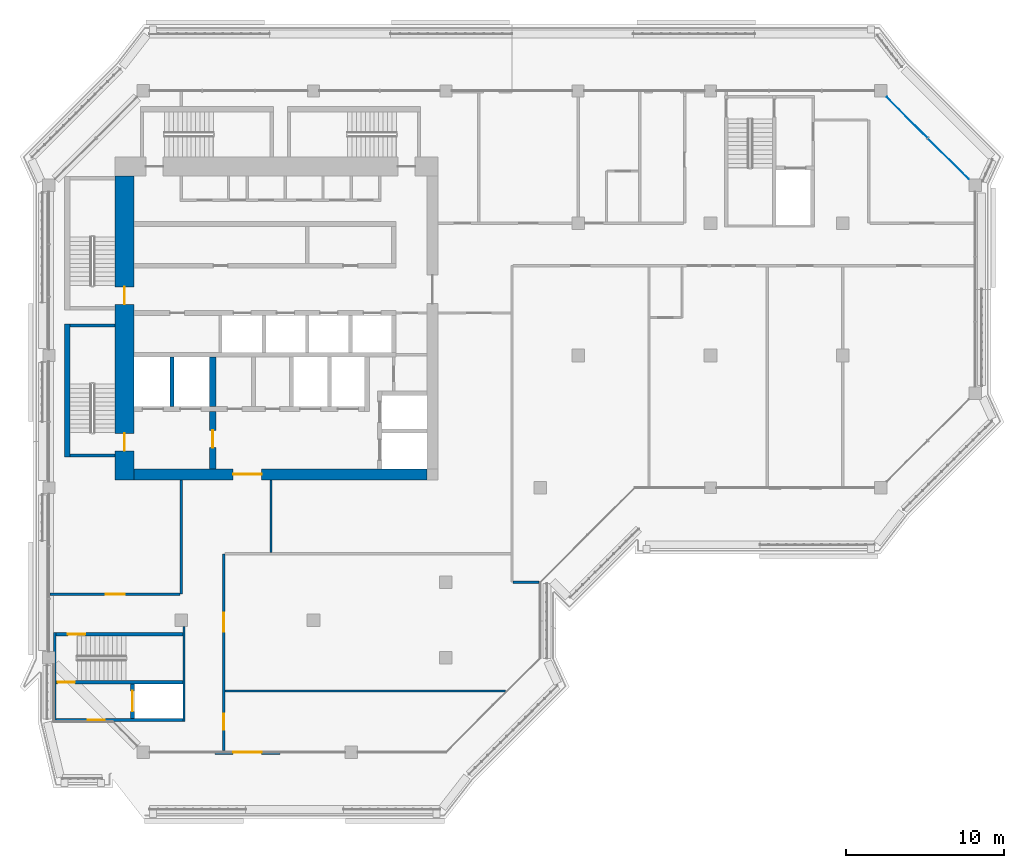
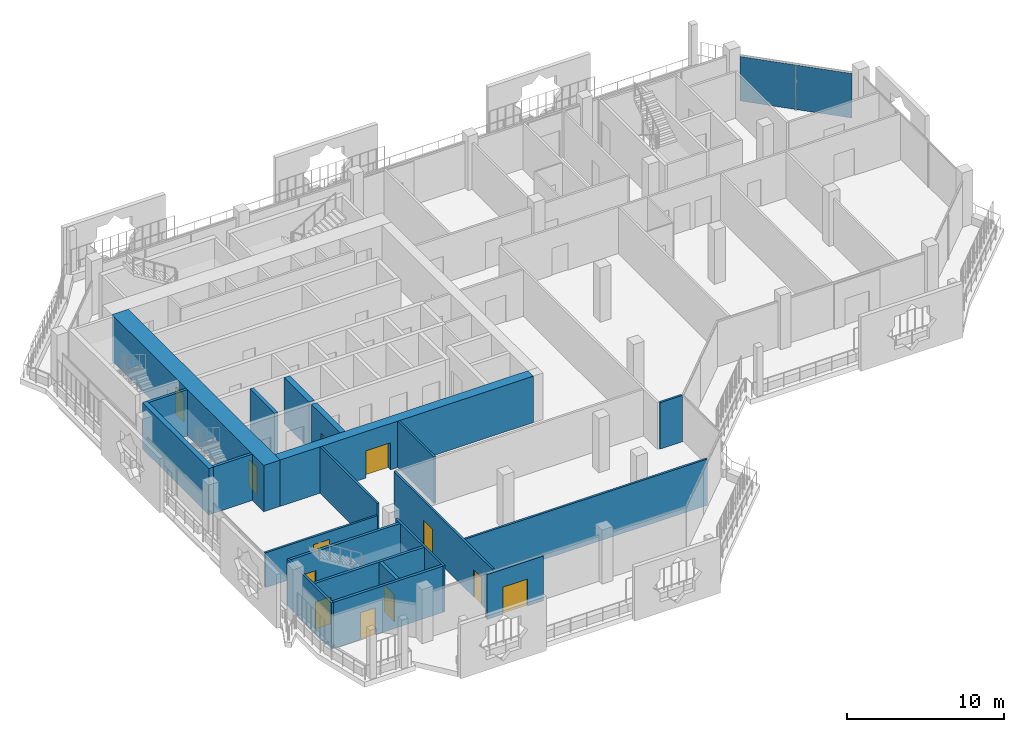
# One storey, part 10 of 21: 21 walls, 12 doors, 2 plates, 12 openings, 1 element without a shape of its own.
"""IFC4 building model written with IfcOpenShell, lengths in metres."""

from ifc_helpers import new_model, si_unit, direction, frame, frame_2d, origin, origin_2d, place, context, subcontext, project, spatial, rectangle, extrude, material, layer, layer_set, type_object, element, fill, aggregate, save


model = new_model("IFC4")

# Units and contexts
model_context = context("Model", 3, precision=1e-05, world=origin(), true_north=direction((0.0, 1.0)))
body_context = subcontext(model_context, "Body", "Model", "MODEL_VIEW")
ifc_project = project(units=[si_unit("LENGTHUNIT", "METRE"), si_unit("AREAUNIT", "SQUARE_METRE"), si_unit("VOLUMEUNIT", "CUBIC_METRE"), si_unit("PLANEANGLEUNIT", "RADIAN"), si_unit("MASSUNIT", "GRAM", prefix="KILO")], contexts=[model_context])

# Site, building, storey
site_placement = place(None, origin())
site = spatial("IfcSite", under=ifc_project, at=site_placement, CompositionType="ELEMENT")
building_placement = place(site_placement, origin())
building = spatial("IfcBuilding", under=site, at=building_placement, Name="Kawkab Arch Medical Tower", CompositionType="ELEMENT")
storey_placement = place(building_placement, frame((0.0, 0.0, 323.800048828125)))
storey = spatial("IfcBuildingStorey", under=building, at=storey_placement, Name="L75", CompositionType="ELEMENT", Elevation=323.800048828125)

# Curtain wall, plates
ifc_material_1 = material(Name="Bronze anodised aluminium curtain wall frame", Category="aluminium")
ifc_layer_1 = layer(ifc_material_1, 0.159912109375)
ifc_layer_set_1 = layer_set([ifc_layer_1], Name="Bronze anodised aluminium curtain wall frame")
curtain_wall_type = type_object("IfcCurtainWallType", Name="CW2 chamfer curtain wall", PredefinedType="NOTDEFINED", material=ifc_layer_set_1)
curtain_wall_placement = place(storey_placement, origin())
curtain_wall = element("IfcCurtainWall", 1, at=curtain_wall_placement, inside=storey, type_object=curtain_wall_type, Name="CW2 Chamfer curtain wall R14", PredefinedType="NOTDEFINED")
ifc_material_2 = material(Name="Tinted insulating glass, bronze low-e coating", Category="glass")
ifc_layer_2 = layer(ifc_material_2, 0.031982421875)
ifc_layer_set_2 = layer_set([ifc_layer_2], Name="Tinted insulating glass, bronze low-e coating")
plate_type = type_object("IfcPlateType", Name="CW2 glazing unit 32", PredefinedType="CURTAIN_PANEL", material=ifc_layer_set_2)
plate_1_placement = place(storey_placement, frame((57.110595703125, -4.310546875, 0.0), z_axis=(0.0, 0.0, 1.0), x_axis=(-0.707106781187, 0.707106781187, 0.0)))
plate_1 = element("IfcPlate", 2, at=plate_1_placement, type_object=plate_type, Name="CW2 glazing unit 1.1", PredefinedType="CURTAIN_PANEL", context=body_context, shape_type="SweptSolid", body=[
    extrude(rectangle(XDim=3.64697265625, YDim=0.031982421875, at=origin_2d()), origin(), (0.0, 0.0, 1.0), 3.4599609375),
])
plate_2_placement = place(storey_placement, frame((54.489501953125, -1.689453125, 0.0), z_axis=(0.0, 0.0, 1.0), x_axis=(-0.707106781187, 0.707106781187, 0.0)))
plate_2 = element("IfcPlate", 3, at=plate_2_placement, type_object=plate_type, Name="CW2 glazing unit 1.2", PredefinedType="CURTAIN_PANEL", context=body_context, shape_type="SweptSolid", body=[
    extrude(rectangle(XDim=3.64697265625, YDim=0.031982421875, at=origin_2d()), origin(), (0.0, 0.0, 1.0), 3.4599609375),
])
aggregate(curtain_wall, [plate_1, plate_2])

# Wall, openings, doors
ifc_material_3 = material(Name="Concrete C50/60", Category="concrete")
ifc_layer_3 = layer(ifc_material_3, 1.199951171875)
ifc_layer_set_3 = layer_set([ifc_layer_3], Name="Concrete C50/60")
wall_type_1 = type_object("IfcWallType", Name="Core ring wall 1200 C50/60", PredefinedType="SHEAR", material=ifc_layer_set_3)
wall_1_placement = place(storey_placement, frame((4.800048828125, -24.699951171875, 0.0), z_axis=(0.0, 0.0, 1.0), x_axis=(0.0, 1.0, 0.0)))
wall_1 = element("IfcWall", 4, at=wall_1_placement, inside=storey, type_object=wall_type_1, Name="L75 core wall", PredefinedType="SHEAR", context=body_context, shape_type="SweptSolid", body=[
    extrude(rectangle(XDim=19.300048828125, YDim=1.199951171875, at=frame_2d((9.64990234375, 0.0))), origin(), (0.0, 0.0, 1.0), 3.599853515625),
])
opening_1_placement = place(wall_1_placement, frame((11.14990234375, 0.0, 0.0)))
opening_1 = element("IfcOpeningElement", 5, at=opening_1_placement, cuts=wall_1, Name="Opening SD", PredefinedType="OPENING", context=body_context, shape_type="SweptSolid", body=[
    extrude(rectangle(XDim=1.10009765625, YDim=2.10009765625, at=frame_2d((0.550048828125, 1.050048828125))), frame((0.0, 0.60986328125, 0.0), z_axis=(0.0, -1.0, 0.0), x_axis=(1.0, 0.0, 0.0)), (0.0, 0.0, 1.0), 1.219970703125),
])
opening_2_placement = place(wall_1_placement, frame((1.85009765625, 0.0, 0.0)))
opening_2 = element("IfcOpeningElement", 6, at=opening_2_placement, cuts=wall_1, Name="Opening SD", PredefinedType="OPENING", context=body_context, shape_type="SweptSolid", body=[
    extrude(rectangle(XDim=1.10009765625, YDim=2.10009765625, at=frame_2d((0.550048828125, 1.050048828125))), frame((0.0, 0.60986328125, 0.0), z_axis=(0.0, -1.0, 0.0), x_axis=(1.0, 0.0, 0.0)), (0.0, 0.0, 1.0), 1.219970703125),
])
ifc_material_4 = material(Name="Hollow metal fire door leaf")
door_type_1 = type_object("IfcDoorType", Name="Exit stair door 1100", OperationType="SINGLE_SWING_LEFT", PredefinedType="DOOR", material=ifc_material_4)
door_1_placement = place(opening_1_placement, origin())
door_1 = element("IfcDoor", 7, at=door_1_placement, inside=storey, type_object=door_type_1, Name="L75 Exit stair ST1 door", OperationType="SINGLE_SWING_LEFT", OverallHeight=2.10009765625, OverallWidth=1.10009765625, PredefinedType="DOOR", context=body_context, shape_type="SweptSolid", body=[
    extrude(rectangle(XDim=1.10009765625, YDim=2.10009765625, at=frame_2d((0.550048828125, 1.050048828125))), frame((0.0, 0.02490234375, 0.0), z_axis=(0.0, -1.0, 0.0), x_axis=(1.0, 0.0, 0.0)), (0.0, 0.0, 1.0), 0.050048828125),
])
fill(opening_1, door_1)
door_2_placement = place(opening_2_placement, origin())
door_2 = element("IfcDoor", 8, at=door_2_placement, inside=storey, type_object=door_type_1, Name="L75 Exit stair ST2 door", OperationType="SINGLE_SWING_LEFT", OverallHeight=2.10009765625, OverallWidth=1.10009765625, PredefinedType="DOOR", context=body_context, shape_type="SweptSolid", body=[
    extrude(rectangle(XDim=1.10009765625, YDim=2.10009765625, at=frame_2d((0.550048828125, 1.050048828125))), frame((0.0, 0.02490234375, 0.0), z_axis=(0.0, -1.0, 0.0), x_axis=(1.0, 0.0, 0.0)), (0.0, 0.0, 1.0), 0.050048828125),
])
fill(opening_2, door_2)

# Wall, opening, door
ifc_material_5 = material(Name="Concrete C50/60", Category="concrete")
ifc_layer_4 = layer(ifc_material_5, 0.699951171875)
ifc_layer_set_4 = layer_set([ifc_layer_4], Name="Concrete C50/60")
wall_type_2 = type_object("IfcWallType", Name="Core ring wall 700 C50/60", PredefinedType="SHEAR", material=ifc_layer_set_4)
wall_2_placement = place(storey_placement, frame((5.39990234375, -24.35009765625, 0.0), z_axis=(0.0, 0.0, 1.0), x_axis=(1.0, 0.0, 0.0)))
wall_2 = element("IfcWall", 9, at=wall_2_placement, inside=storey, type_object=wall_type_2, Name="L75 core wall", PredefinedType="SHEAR", context=body_context, shape_type="SweptSolid", body=[
    extrude(rectangle(XDim=18.60009765625, YDim=0.699951171875, at=frame_2d((9.300048828125, 0.0))), origin(), (0.0, 0.0, 1.0), 3.599853515625),
])
opening_3_placement = place(wall_2_placement, frame((6.300048828125, 0.0, 0.0)))
opening_3 = element("IfcOpeningElement", 10, at=opening_3_placement, cuts=wall_2, Name="Opening PD", PredefinedType="OPENING", context=body_context, shape_type="SweptSolid", body=[
    extrude(rectangle(XDim=1.800048828125, YDim=2.10009765625, at=frame_2d((0.89990234375, 1.050048828125))), frame((0.0, 0.35986328125, 0.0), z_axis=(0.0, -1.0, 0.0), x_axis=(1.0, 0.0, 0.0)), (0.0, 0.0, 1.0), 0.719970703125),
])
ifc_material_6 = material(Name="Hollow metal fire door leaf")
door_type_2 = type_object("IfcDoorType", Name="Core entrance doors 1800", OperationType="DOUBLE_DOOR_SINGLE_SWING", PredefinedType="DOOR", material=ifc_material_6)
door_3_placement = place(opening_3_placement, origin())
door_3 = element("IfcDoor", 11, at=door_3_placement, inside=storey, type_object=door_type_2, Name="L75 South entrance doors", OperationType="DOUBLE_DOOR_SINGLE_SWING", OverallHeight=2.10009765625, OverallWidth=1.800048828125, PredefinedType="DOOR", context=body_context, shape_type="SweptSolid", body=[
    extrude(rectangle(XDim=1.800048828125, YDim=2.10009765625, at=frame_2d((0.89990234375, 1.050048828125))), frame((0.0, 0.02490234375, 0.0), z_axis=(0.0, -1.0, 0.0), x_axis=(1.0, 0.0, 0.0)), (0.0, 0.0, 1.0), 0.050048828125),
])
fill(opening_3, door_3)

# Wall
ifc_material_7 = material(Name="Concrete C60/75", Category="concrete")
ifc_layer_5 = layer(ifc_material_7, 0.25)
ifc_layer_set_5 = layer_set([ifc_layer_5], Name="Concrete C60/75")
wall_type_3 = type_object("IfcWallType", Name="Core shear wall 250 C60/75", PredefinedType="SHEAR", material=ifc_layer_set_5)
wall_3_placement = place(storey_placement, frame((7.800048828125, -20.050048828125, 0.0), z_axis=(0.0, 0.0, 1.0), x_axis=(0.0, 1.0, 0.0)))
element("IfcWall", 12, at=wall_3_placement, inside=storey, type_object=wall_type_3, Name="L75 core shear wall", PredefinedType="SHEAR", context=body_context, shape_type="SweptSolid", body=[
    extrude(rectangle(XDim=3.150146484375, YDim=0.25, at=frame_2d((1.5751953125, 0.0))), origin(), (0.0, 0.0, 1.0), 3.599853515625),
])

# Wall, opening, door
wall_4_placement = place(storey_placement, frame((5.300048828125, -39.85009765625, 0.0), z_axis=(0.0, 0.0, 1.0), x_axis=(0.0, 1.0, 0.0)))
wall_4 = element("IfcWall", 13, at=wall_4_placement, inside=storey, type_object=wall_type_3, Name="L75 core shear wall", PredefinedType="SHEAR", context=body_context, shape_type="SweptSolid", body=[
    extrude(rectangle(XDim=2.2001953125, YDim=0.25, at=frame_2d((1.10009765625, 0.0))), origin(), (0.0, 0.0, 1.0), 3.599853515625),
])
opening_4_placement = place(wall_4_placement, frame((0.449951171875, 0.0, 0.0)))
opening_4 = element("IfcOpeningElement", 14, at=opening_4_placement, cuts=wall_4, Name="Opening LD2", PredefinedType="OPENING", context=body_context, shape_type="SweptSolid", body=[
    extrude(rectangle(XDim=1.300048828125, YDim=2.10009765625, at=frame_2d((0.64990234375, 1.050048828125))), frame((0.0, 0.135009765625, 0.0), z_axis=(0.0, -1.0, 0.0), x_axis=(1.0, 0.0, 0.0)), (0.0, 0.0, 1.0), 0.27001953125),
])
ifc_material_8 = material(Name="Stainless steel lift door leaf", Category="steel")
door_type_3 = type_object("IfcDoorType", Name="Lift landing door 1300", OperationType="DOUBLE_DOOR_SLIDING", PredefinedType="DOOR", material=ifc_material_8)
door_4_placement = place(opening_4_placement, origin())
door_4 = element("IfcDoor", 15, at=door_4_placement, inside=storey, type_object=door_type_3, Name="L75 Lift landing door SV2", OperationType="DOUBLE_DOOR_SLIDING", OverallHeight=2.10009765625, OverallWidth=1.300048828125, PredefinedType="DOOR", context=body_context, shape_type="SweptSolid", body=[
    extrude(rectangle(XDim=1.300048828125, YDim=2.10009765625, at=frame_2d((0.64990234375, 1.050048828125))), frame((0.0, 0.02490234375, 0.0), z_axis=(0.0, -1.0, 0.0), x_axis=(1.0, 0.0, 0.0)), (0.0, 0.0, 1.0), 0.050048828125),
])
fill(opening_4, door_4)

ifc_material_9 = material(Name="Concrete C60/75", Category="concrete")
ifc_layer_6 = layer(ifc_material_9, 0.39990234375)
ifc_layer_set_6 = layer_set([ifc_layer_6], Name="Concrete C60/75")
wall_type_4 = type_object("IfcWallType", Name="Core shear wall 400 C60/75", PredefinedType="SHEAR", material=ifc_layer_set_6)
wall_5_placement = place(storey_placement, frame((10.39990234375, -24.0, 0.0), z_axis=(0.0, 0.0, 1.0), x_axis=(0.0, 1.0, 0.0)))
wall_5 = element("IfcWall", 16, at=wall_5_placement, inside=storey, type_object=wall_type_4, Name="L75 core shear wall", PredefinedType="SHEAR", context=body_context, shape_type="SweptSolid", body=[
    extrude(rectangle(XDim=3.64990234375, YDim=0.39990234375, at=frame_2d((1.824951171875, 0.0))), origin(), (0.0, 0.0, 1.0), 3.599853515625),
])
opening_5_placement = place(wall_5_placement, frame((1.35009765625, 0.0, 0.0)))
opening_5 = element("IfcOpeningElement", 17, at=opening_5_placement, cuts=wall_5, Name="Opening FD", PredefinedType="OPENING", context=body_context, shape_type="SweptSolid", body=[
    extrude(rectangle(XDim=1.10009765625, YDim=2.10009765625, at=frame_2d((0.550048828125, 1.050048828125))), frame((0.0, 0.2099609375, 0.0), z_axis=(0.0, -1.0, 0.0), x_axis=(1.0, 0.0, 0.0)), (0.0, 0.0, 1.0), 0.419921875),
])
ifc_material_10 = material(Name="Hollow metal fire door leaf")
door_type_4 = type_object("IfcDoorType", Name="Firefighting lobby door 1100", OperationType="SINGLE_SWING_LEFT", PredefinedType="DOOR", material=ifc_material_10)
door_5_placement = place(opening_5_placement, origin())
door_5 = element("IfcDoor", 18, at=door_5_placement, inside=storey, type_object=door_type_4, Name="L75 Firefighting lobby door", OperationType="SINGLE_SWING_LEFT", OverallHeight=2.10009765625, OverallWidth=1.10009765625, PredefinedType="DOOR", context=body_context, shape_type="SweptSolid", body=[
    extrude(rectangle(XDim=1.10009765625, YDim=2.10009765625, at=frame_2d((0.550048828125, 1.050048828125))), frame((0.0, 0.02490234375, 0.0), z_axis=(0.0, -1.0, 0.0), x_axis=(1.0, 0.0, 0.0)), (0.0, 0.0, 1.0), 0.050048828125),
])
fill(opening_5, door_5)

# Wall
wall_6_placement = place(storey_placement, frame((10.39990234375, -20.050048828125, 0.0), z_axis=(0.0, 0.0, 1.0), x_axis=(0.0, 1.0, 0.0)))
element("IfcWall", 19, at=wall_6_placement, inside=storey, type_object=wall_type_4, Name="L75 core shear wall", PredefinedType="SHEAR", context=body_context, shape_type="SweptSolid", body=[
    extrude(rectangle(XDim=3.150146484375, YDim=0.39990234375, at=frame_2d((1.5751953125, 0.0))), origin(), (0.0, 0.0, 1.0), 3.599853515625),
])

# Wall, opening, door
ifc_material_11 = material(Name="Bronze clad insulated wall panel")
ifc_layer_7 = layer(ifc_material_11, 0.25)
ifc_layer_set_7 = layer_set([ifc_layer_7], Name="Bronze clad insulated wall panel")
wall_type_5 = type_object("IfcWallType", Name="External wall bay 250", PredefinedType="SOLIDWALL", material=ifc_layer_set_7)
wall_7_placement = place(storey_placement, frame((10.533447265625, -42.0, 0.0), z_axis=(0.0, 0.0, 1.0), x_axis=(1.0, 0.0, 0.0)))
wall_7 = element("IfcWall", 20, at=wall_7_placement, inside=storey, type_object=wall_type_5, Name="External wall bay L75.R07.1.2", PredefinedType="SOLIDWALL", context=body_context, shape_type="SweptSolid", body=[
    extrude(rectangle(XDim=4.13330078125, YDim=0.25, at=frame_2d((2.066650390625, 0.0))), origin(), (0.0, 0.0, 1.0), 3.47998046875),
])
opening_6_placement = place(wall_7_placement, frame((1.166748046875, 0.0, 0.0)))
opening_6 = element("IfcOpeningElement", 21, at=opening_6_placement, cuts=wall_7, Name="Opening W70-701", PredefinedType="OPENING", context=body_context, shape_type="SweptSolid", body=[
    extrude(rectangle(XDim=1.800048828125, YDim=2.10009765625, at=frame_2d((0.89990234375, 1.050048828125))), frame((0.0, 0.135009765625, 0.0), z_axis=(0.0, -1.0, 0.0), x_axis=(1.0, 0.0, 0.0)), (0.0, 0.0, 1.0), 0.27001953125),
])
ifc_material_12 = material(Name="Bronze anodised aluminium door with tinted glass", Category="aluminium")
door_type_5 = type_object("IfcDoorType", Name="Double external door 1800 x 2100", OperationType="DOUBLE_DOOR_SINGLE_SWING", PredefinedType="DOOR", material=ifc_material_12)
door_6_placement = place(opening_6_placement, origin())
door_6 = element("IfcDoor", 22, at=door_6_placement, inside=storey, type_object=door_type_5, Name="External door L75.R07.1.2", OperationType="DOUBLE_DOOR_SINGLE_SWING", OverallHeight=2.10009765625, OverallWidth=1.800048828125, PredefinedType="DOOR", context=body_context, shape_type="SweptSolid", body=[
    extrude(rectangle(XDim=1.800048828125, YDim=2.10009765625, at=frame_2d((0.89990234375, 1.050048828125))), frame((0.0, 0.02490234375, 0.0), z_axis=(0.0, -1.0, 0.0), x_axis=(1.0, 0.0, 0.0)), (0.0, 0.0, 1.0), 0.050048828125),
])
fill(opening_6, door_6)

# Wall
ifc_material_13 = material(Name="Gypsum board partition on steel studs, mineral wool", Category="steel")
ifc_layer_8 = layer(ifc_material_13, 0.14990234375)
ifc_layer_set_8 = layer_set([ifc_layer_8], Name="Gypsum board partition on steel studs, mineral wool")
wall_type_6 = type_object("IfcWallType", Name="Partition 150", PredefinedType="PARTITIONING", material=ifc_layer_set_8)
wall_8_placement = place(storey_placement, frame((11.175048828125, -38.10009765625, 0.0), z_axis=(0.0, 0.0, 1.0), x_axis=(1.0, 0.0, 0.0)))
element("IfcWall", 23, at=wall_8_placement, inside=storey, type_object=wall_type_6, Name="Partition 150 w005", PredefinedType="PARTITIONING", context=body_context, shape_type="SweptSolid", body=[
    extrude(rectangle(XDim=17.81201171875, YDim=0.14990234375, at=frame_2d((8.906005859375, 0.0))), origin(), (0.0, 0.0, 1.0), 3.599853515625),
])

# Wall, opening, door
wall_9_placement = place(storey_placement, frame((0.080078125, -31.95703125, 0.0), z_axis=(0.0, 0.0, 1.0), x_axis=(1.0, 0.0, 0.0)))
wall_9 = element("IfcWall", 24, at=wall_9_placement, inside=storey, type_object=wall_type_6, Name="Partition 150 w006", PredefinedType="PARTITIONING", context=body_context, shape_type="SweptSolid", body=[
    extrude(rectangle(XDim=8.244873046875, YDim=0.14990234375, at=frame_2d((4.12255859375, 0.0))), origin(), (0.0, 0.0, 1.0), 2.699951171875),
])
opening_7_placement = place(wall_9_placement, frame((3.52001953125, 0.0, 0.0)))
opening_7 = element("IfcOpeningElement", 25, at=opening_7_placement, cuts=wall_9, Name="Opening W70-015", PredefinedType="OPENING", context=body_context, shape_type="SweptSolid", body=[
    extrude(rectangle(XDim=1.199951171875, YDim=2.10009765625, at=frame_2d((0.60009765625, 1.050048828125))), frame((0.0, 0.0849609375, 0.0), z_axis=(0.0, -1.0, 0.0), x_axis=(1.0, 0.0, 0.0)), (0.0, 0.0, 1.0), 0.169921875),
])
ifc_material_14 = material(Name="Hollow metal door leaf")
door_type_6 = type_object("IfcDoorType", Name="Single door 1200x2100 FD30S", OperationType="NOTDEFINED", PredefinedType="DOOR", material=ifc_material_14)
door_7_placement = place(opening_7_placement, origin())
door_7 = element("IfcDoor", 26, at=door_7_placement, inside=storey, type_object=door_type_6, Name="Door W70-015", OperationType="SINGLE_SWING_RIGHT", OverallHeight=2.10009765625, OverallWidth=1.199951171875, PredefinedType="DOOR", context=body_context, shape_type="SweptSolid", body=[
    extrude(rectangle(XDim=1.199951171875, YDim=2.10009765625, at=frame_2d((0.60009765625, 1.050048828125))), frame((0.0, 0.02490234375, 0.0), z_axis=(0.0, -1.0, 0.0), x_axis=(1.0, 0.0, 0.0)), (0.0, 0.0, 1.0), 0.050048828125),
])
fill(opening_7, door_7)

# Walls
wall_10_placement = place(storey_placement, frame((29.47705078125, -31.199951171875, 0.0), z_axis=(0.0, 0.0, 1.0), x_axis=(1.0, 0.0, 0.0)))
element("IfcWall", 27, at=wall_10_placement, inside=storey, type_object=wall_type_6, Name="Partition 150 w007", PredefinedType="PARTITIONING", context=body_context, shape_type="SweptSolid", body=[
    extrude(rectangle(XDim=1.64306640625, YDim=0.14990234375, at=frame_2d((0.821533203125, 0.0))), origin(), (0.0, 0.0, 1.0), 3.599853515625),
])
wall_11_placement = place(storey_placement, frame((8.39990234375, -31.95703125, 0.0), z_axis=(0.0, 0.0, 1.0), x_axis=(0.0, 1.0, 0.0)))
element("IfcWall", 28, at=wall_11_placement, inside=storey, type_object=wall_type_6, Name="Partition 150 w014", PredefinedType="PARTITIONING", context=body_context, shape_type="SweptSolid", body=[
    extrude(rectangle(XDim=7.257080078125, YDim=0.14990234375, at=frame_2d((3.62841796875, 0.0))), origin(), (0.0, 0.0, 1.0), 3.599853515625),
])

# Wall, openings, doors
wall_12_placement = place(storey_placement, frame((11.10009765625, -41.919921875, 0.0), z_axis=(0.0, 0.0, 1.0), x_axis=(0.0, 1.0, 0.0)))
wall_12 = element("IfcWall", 29, at=wall_12_placement, inside=storey, type_object=wall_type_6, Name="Partition 150 w016", PredefinedType="PARTITIONING", context=body_context, shape_type="SweptSolid", body=[
    extrude(rectangle(XDim=12.52001953125, YDim=0.14990234375, at=frame_2d((6.260009765625, 0.0))), origin(), (0.0, 0.0, 1.0), 3.599853515625),
])
opening_8_placement = place(wall_12_placement, frame((7.570068359375, 0.0, 0.0)))
opening_8 = element("IfcOpeningElement", 30, at=opening_8_placement, cuts=wall_12, Name="Opening W70-016", PredefinedType="OPENING", context=body_context, shape_type="SweptSolid", body=[
    extrude(rectangle(XDim=1.199951171875, YDim=2.10009765625, at=frame_2d((0.60009765625, 1.050048828125))), frame((0.0, 0.0849609375, 0.0), z_axis=(0.0, -1.0, 0.0), x_axis=(1.0, 0.0, 0.0)), (0.0, 0.0, 1.0), 0.169921875),
])
opening_9_placement = place(wall_12_placement, frame((1.3701171875, 0.0, 0.0)))
opening_9 = element("IfcOpeningElement", 31, at=opening_9_placement, cuts=wall_12, Name="Opening W70-009", PredefinedType="OPENING", context=body_context, shape_type="SweptSolid", body=[
    extrude(rectangle(XDim=1.0, YDim=2.10009765625, at=frame_2d((0.5, 1.050048828125))), frame((0.0, 0.0849609375, 0.0), z_axis=(0.0, -1.0, 0.0), x_axis=(1.0, 0.0, 0.0)), (0.0, 0.0, 1.0), 0.169921875),
])
ifc_material_15 = material(Name="Hollow metal door leaf")
door_type_7 = type_object("IfcDoorType", Name="Single door 1000x2100 FD30S", OperationType="NOTDEFINED", PredefinedType="DOOR", material=ifc_material_15)
door_8_placement = place(opening_9_placement, origin())
door_8 = element("IfcDoor", 32, at=door_8_placement, inside=storey, type_object=door_type_7, Name="Door W70-009", OperationType="SINGLE_SWING_RIGHT", OverallHeight=2.10009765625, OverallWidth=1.0, PredefinedType="DOOR", context=body_context, shape_type="SweptSolid", body=[
    extrude(rectangle(XDim=1.0, YDim=2.10009765625, at=frame_2d((0.5, 1.050048828125))), frame((0.0, 0.02490234375, 0.0), z_axis=(0.0, -1.0, 0.0), x_axis=(1.0, 0.0, 0.0)), (0.0, 0.0, 1.0), 0.050048828125),
])
fill(opening_9, door_8)
door_9_placement = place(opening_8_placement, origin())
door_9 = element("IfcDoor", 33, at=door_9_placement, inside=storey, type_object=door_type_6, Name="Door W70-016", OperationType="SINGLE_SWING_LEFT", OverallHeight=2.10009765625, OverallWidth=1.199951171875, PredefinedType="DOOR", context=body_context, shape_type="SweptSolid", body=[
    extrude(rectangle(XDim=1.199951171875, YDim=2.10009765625, at=frame_2d((0.60009765625, 1.050048828125))), frame((0.0, 0.02490234375, 0.0), z_axis=(0.0, -1.0, 0.0), x_axis=(1.0, 0.0, 0.0)), (0.0, 0.0, 1.0), 0.050048828125),
])
fill(opening_8, door_9)

# Walls
wall_13_placement = place(storey_placement, frame((14.10009765625, -29.324951171875, 0.0), z_axis=(0.0, 0.0, 1.0), x_axis=(0.0, 1.0, 0.0)))
element("IfcWall", 34, at=wall_13_placement, inside=storey, type_object=wall_type_6, Name="Partition 150 w017", PredefinedType="PARTITIONING", context=body_context, shape_type="SweptSolid", body=[
    extrude(rectangle(XDim=4.625, YDim=0.14990234375, at=frame_2d((2.3125, 0.0))), origin(), (0.0, 0.0, 1.0), 3.599853515625),
])
ifc_material_16 = material(Name="Concrete C50/60", Category="concrete")
ifc_layer_9 = layer(ifc_material_16, 0.14990234375)
ifc_layer_set_9 = layer_set([ifc_layer_9], Name="Concrete C50/60")
wall_type_7 = type_object("IfcWallType", Name="Stair enclosure wall 150 C50/60", PredefinedType="SHEAR", material=ifc_layer_set_9)
wall_14_placement = place(storey_placement, frame((0.375, -40.050048828125, 0.0), z_axis=(0.0, 0.0, 1.0), x_axis=(0.0, 1.0, 0.0)))
element("IfcWall", 35, at=wall_14_placement, inside=storey, type_object=wall_type_7, Name="L75 stair enclosure wall", PredefinedType="SHEAR", context=body_context, shape_type="SweptSolid", body=[
    extrude(rectangle(XDim=5.650146484375, YDim=0.14990234375, at=frame_2d((2.8251953125, 0.0))), origin(), (0.0, 0.0, 1.0), 3.599853515625),
])
wall_15_placement = place(storey_placement, frame((8.574951171875, -40.050048828125, 0.0), z_axis=(0.0, 0.0, 1.0), x_axis=(0.0, 1.0, 0.0)))
element("IfcWall", 36, at=wall_15_placement, inside=storey, type_object=wall_type_7, Name="L75 stair enclosure wall", PredefinedType="SHEAR", context=body_context, shape_type="SweptSolid", body=[
    extrude(rectangle(XDim=6.050048828125, YDim=0.14990234375, at=frame_2d((3.02490234375, 0.0))), origin(), (0.0, 0.0, 1.0), 3.599853515625),
])
ifc_material_17 = material(Name="Concrete C50/60", Category="concrete")
ifc_layer_10 = layer(ifc_material_17, 0.199951171875)
ifc_layer_set_10 = layer_set([ifc_layer_10], Name="Concrete C50/60")
wall_type_8 = type_object("IfcWallType", Name="Stair enclosure wall 200 C50/60", PredefinedType="SHEAR", material=ifc_layer_set_10)
for number, where, z_axis, x_axis, name in (
    (37, (1.35009765625, -14.89990234375, 0.0), (0.0, 0.0, 1.0), (1.0, 0.0, 0.0), "L75 stair enclosure wall"),
    (38, (1.35009765625, -23.14990234375, 0.0), (0.0, 0.0, 1.0), (1.0, 0.0, 0.0), "L75 stair enclosure wall"),
):
    element("IfcWall", number, at=place(storey_placement, frame(where, z_axis=z_axis, x_axis=x_axis)), inside=storey, type_object=wall_type_8, Name=name, PredefinedType="SHEAR", context=body_context, shape_type="SweptSolid", body=[
        extrude(rectangle(XDim=2.849853515625, YDim=0.199951171875, at=frame_2d((1.4248046875, 0.0))), origin(), (0.0, 0.0, 1.0), 3.599853515625),
    ])

# Wall, opening, door
wall_16_placement = place(storey_placement, frame((0.449951171875, -34.5, 0.0), z_axis=(0.0, 0.0, 1.0), x_axis=(1.0, 0.0, 0.0)))
wall_16 = element("IfcWall", 39, at=wall_16_placement, inside=storey, type_object=wall_type_8, Name="L75 stair enclosure wall", PredefinedType="SHEAR", context=body_context, shape_type="SweptSolid", body=[
    extrude(rectangle(XDim=8.050048828125, YDim=0.199951171875, at=frame_2d((4.02490234375, 0.0))), origin(), (0.0, 0.0, 1.0), 3.599853515625),
])
opening_10_placement = place(wall_16_placement, frame((0.75, 0.0, 0.0)))
opening_10 = element("IfcOpeningElement", 40, at=opening_10_placement, cuts=wall_16, Name="Opening SD", PredefinedType="OPENING", context=body_context, shape_type="SweptSolid", body=[
    extrude(rectangle(XDim=1.10009765625, YDim=2.10009765625, at=frame_2d((0.550048828125, 1.050048828125))), frame((0.0, 0.10986328125, 0.0), z_axis=(0.0, -1.0, 0.0), x_axis=(1.0, 0.0, 0.0)), (0.0, 0.0, 1.0), 0.219970703125),
])
door_10_placement = place(opening_10_placement, origin())
door_10 = element("IfcDoor", 41, at=door_10_placement, inside=storey, type_object=door_type_1, Name="L75 Exit stair ST6 door", OperationType="SINGLE_SWING_LEFT", OverallHeight=2.10009765625, OverallWidth=1.10009765625, PredefinedType="DOOR", context=body_context, shape_type="SweptSolid", body=[
    extrude(rectangle(XDim=1.10009765625, YDim=2.10009765625, at=frame_2d((0.550048828125, 1.050048828125))), frame((0.0, 0.02490234375, 0.0), z_axis=(0.0, -1.0, 0.0), x_axis=(1.0, 0.0, 0.0)), (0.0, 0.0, 1.0), 0.050048828125),
])
fill(opening_10, door_10)

wall_17_placement = place(storey_placement, frame((0.449951171875, -37.550048828125, 0.0), z_axis=(0.0, 0.0, 1.0), x_axis=(1.0, 0.0, 0.0)))
wall_17 = element("IfcWall", 42, at=wall_17_placement, inside=storey, type_object=wall_type_8, Name="L75 stair enclosure wall", PredefinedType="SHEAR", context=body_context, shape_type="SweptSolid", body=[
    extrude(rectangle(XDim=8.050048828125, YDim=0.199951171875, at=frame_2d((4.02490234375, 0.0))), origin(), (0.0, 0.0, 1.0), 3.599853515625),
])
opening_11_placement = place(wall_17_placement, frame((0.10009765625, 0.0, 0.0)))
opening_11 = element("IfcOpeningElement", 43, at=opening_11_placement, cuts=wall_17, Name="Opening SD", PredefinedType="OPENING", context=body_context, shape_type="SweptSolid", body=[
    extrude(rectangle(XDim=1.10009765625, YDim=2.10009765625, at=frame_2d((0.550048828125, 1.050048828125))), frame((0.0, 0.10986328125, 0.0), z_axis=(0.0, -1.0, 0.0), x_axis=(1.0, 0.0, 0.0)), (0.0, 0.0, 1.0), 0.219970703125),
])
door_11_placement = place(opening_11_placement, frame((1.10009765625, 0.0, 0.0), z_axis=(0.0, 0.0, 1.0), x_axis=(-1.0, 0.0, 0.0)))
door_11 = element("IfcDoor", 44, at=door_11_placement, inside=storey, type_object=door_type_1, Name="L75 Exit stair ST6 lobby door", OperationType="SINGLE_SWING_LEFT", OverallHeight=2.10009765625, OverallWidth=1.10009765625, PredefinedType="DOOR", context=body_context, shape_type="SweptSolid", body=[
    extrude(rectangle(XDim=1.10009765625, YDim=2.10009765625, at=frame_2d((0.550048828125, 1.050048828125))), frame((0.0, 0.02490234375, 0.0), z_axis=(0.0, -1.0, 0.0), x_axis=(1.0, 0.0, 0.0)), (0.0, 0.0, 1.0), 0.050048828125),
])
fill(opening_11, door_11)

wall_18_placement = place(storey_placement, frame((0.449951171875, -39.949951171875, 0.0), z_axis=(0.0, 0.0, 1.0), x_axis=(1.0, 0.0, 0.0)))
wall_18 = element("IfcWall", 45, at=wall_18_placement, inside=storey, type_object=wall_type_8, Name="L75 stair enclosure wall", PredefinedType="SHEAR", context=body_context, shape_type="SweptSolid", body=[
    extrude(rectangle(XDim=8.050048828125, YDim=0.199951171875, at=frame_2d((4.02490234375, 0.0))), origin(), (0.0, 0.0, 1.0), 3.599853515625),
])
opening_12_placement = place(wall_18_placement, frame((2.0, 0.0, 0.0)))
opening_12 = element("IfcOpeningElement", 46, at=opening_12_placement, cuts=wall_18, Name="Opening FD", PredefinedType="OPENING", context=body_context, shape_type="SweptSolid", body=[
    extrude(rectangle(XDim=1.10009765625, YDim=2.10009765625, at=frame_2d((0.550048828125, 1.050048828125))), frame((0.0, 0.10986328125, 0.0), z_axis=(0.0, -1.0, 0.0), x_axis=(1.0, 0.0, 0.0)), (0.0, 0.0, 1.0), 0.219970703125),
])
door_12_placement = place(opening_12_placement, origin())
door_12 = element("IfcDoor", 47, at=door_12_placement, inside=storey, type_object=door_type_4, Name="L75 Service lift lobby door SV2", OperationType="SINGLE_SWING_LEFT", OverallHeight=2.10009765625, OverallWidth=1.10009765625, PredefinedType="DOOR", context=body_context, shape_type="SweptSolid", body=[
    extrude(rectangle(XDim=1.10009765625, YDim=2.10009765625, at=frame_2d((0.550048828125, 1.050048828125))), frame((0.0, 0.02490234375, 0.0), z_axis=(0.0, -1.0, 0.0), x_axis=(1.0, 0.0, 0.0)), (0.0, 0.0, 1.0), 0.050048828125),
])
fill(opening_12, door_12)

# Wall
ifc_material_18 = material(Name="Concrete C50/60", Category="concrete")
ifc_layer_11 = layer(ifc_material_18, 0.35009765625)
ifc_layer_set_11 = layer_set([ifc_layer_11], Name="Concrete C50/60")
wall_type_9 = type_object("IfcWallType", Name="Stair enclosure wall 350 C50/60", PredefinedType="SHEAR", material=ifc_layer_set_11)
wall_19_placement = place(storey_placement, frame((1.175048828125, -23.25, 0.0), z_axis=(0.0, 0.0, 1.0), x_axis=(0.0, 1.0, 0.0)))
element("IfcWall", 48, at=wall_19_placement, inside=storey, type_object=wall_type_9, Name="L75 stair enclosure wall", PredefinedType="SHEAR", context=body_context, shape_type="SweptSolid", body=[
    extrude(rectangle(XDim=8.449951171875, YDim=0.35009765625, at=frame_2d((4.22509765625, 0.0))), origin(), (0.0, 0.0, 1.0), 3.599853515625),
])

save(model, "model.ifc")
